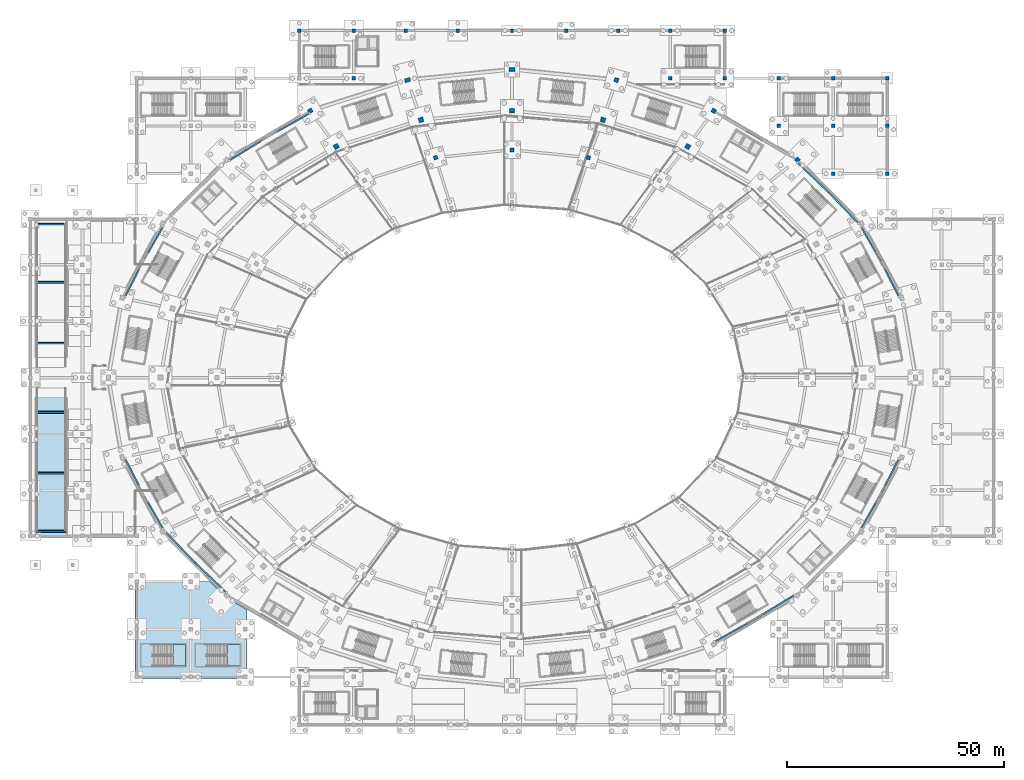
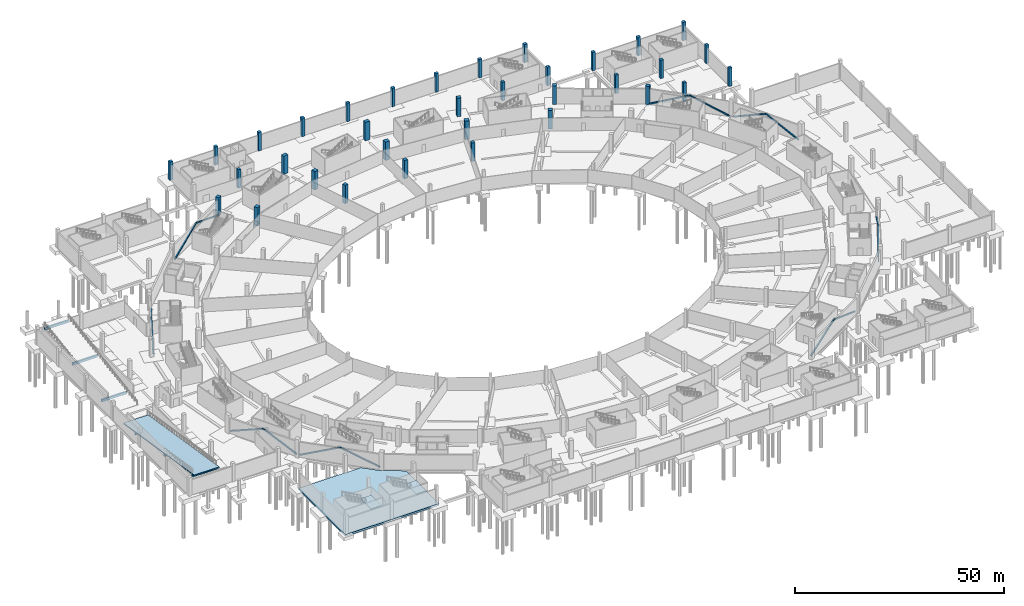
# One storey, part 14 of 74: 34 columns, 16 members, 6 beams, 4 slabs, 2 elements without a shape of their own.
"""IFC4 building model written with IfcOpenShell, lengths in metres."""

from ifc_helpers import new_model, si_unit, direction, frame, origin, origin_2d, place, context, subcontext, project, spatial, polyline, rectangle, hollow_rectangle, outline, extrude, material, layer, layer_set, material_profile, profile_set, type_object, element, aggregate, save


model = new_model("IFC4")

# Units and contexts
model_context = context("Model", 3, precision=1e-05, world=origin(), true_north=direction((0.0, 1.0)))
body_context = subcontext(model_context, "Body", "Model", "MODEL_VIEW")
ifc_project = project(units=[si_unit("LENGTHUNIT", "METRE"), si_unit("AREAUNIT", "SQUARE_METRE"), si_unit("VOLUMEUNIT", "CUBIC_METRE"), si_unit("PLANEANGLEUNIT", "RADIAN"), si_unit("MASSUNIT", "GRAM", prefix="KILO")], contexts=[model_context])

# Site, building, storey
site_placement = place(None, origin())
site = spatial("IfcSite", under=ifc_project, at=site_placement, CompositionType="ELEMENT")
building_placement = place(site_placement, origin())
building = spatial("IfcBuilding", under=site, at=building_placement, Name="Zlatoyarsky Gate Stadium", CompositionType="ELEMENT")
storey_placement = place(building_placement, frame((0.0, 0.0, -5.39990234375)))
storey = spatial("IfcBuildingStorey", under=building, at=storey_placement, Name="B1", CompositionType="ELEMENT", Elevation=-5.39990234375)

# Columns
ifc_material_1 = material(Name="Concrete C40/50", Category="concrete")
ifc_material_profile_1 = material_profile(ifc_material_1, rectangle(XDim=0.89990234375, YDim=1.300048828125, at=origin_2d()), Name="RC PIER 900X1300")
ifc_profile_set_1 = profile_set([ifc_material_profile_1], Name="Concrete C40/50")
column_type_1 = type_object("IfcColumnType", Name="CONCRETE BOWL PIER 900X1300", PredefinedType="COLUMN", material=ifc_profile_set_1)
for number, where, z_axis, x_axis, name in (
    (1, (111.0, 151.0, 0.0), (0.0, 0.0, 1.0), (0.0, 1.0, 0.0), "Column RC-P130 RC-06 on B1"),
    (2, (86.9296875, 148.580810546875, 0.0), (0.0, 0.0, 1.0), (-0.258819045103, 0.965925826289, 0.0), "Column RC-P130 RC-07 on B1"),
):
    element("IfcColumn", number, at=place(storey_placement, frame(where, z_axis=z_axis, x_axis=x_axis)), inside=storey, type_object=column_type_1, Name=name, PredefinedType="COLUMN", context=body_context, shape_type="SweptSolid", body=[
        extrude(rectangle(XDim=0.89990234375, YDim=1.300048828125, at=origin_2d()), origin(), (0.0, 0.0, 1.0), 5.39990234375),
    ])
ifc_material_profile_2 = material_profile(ifc_material_1, rectangle(XDim=1.0, YDim=1.0, at=origin_2d()), Name="RC COL 1000X1000")
ifc_profile_set_2 = profile_set([ifc_material_profile_2], Name="Concrete C40/50")
column_type_2 = type_object("IfcColumnType", Name="CONCRETE COLUMN 1000X1000", PredefinedType="COLUMN", material=ifc_profile_set_2)
for number, where, z_axis, x_axis, name in (
    (3, (176.760986328125, 130.20458984375, 0.0), (0.0, 0.0, 1.0), (0.707106781187, 0.707106781187, 0.0), "Column RC-C100 RC-03 on B1"),
    (4, (157.5, 141.48779296875, 0.0), (0.0, 0.0, 1.0), (0.5, 0.866025403784, 0.0), "Column RC-C100 RC-04 on B1"),
    (5, (135.0703125, 148.580810546875, 0.0), (0.0, 0.0, 1.0), (0.258819045103, 0.965925826289, 0.0), "Column RC-C100 RC-05 on B1"),
    (6, (64.5, 141.48779296875, 0.0), (0.0, 0.0, 1.0), (-0.5, 0.866025403784, 0.0), "Column RC-C100 RC-08 on B1"),
):
    element("IfcColumn", number, at=place(storey_placement, frame(where, z_axis=z_axis, x_axis=x_axis)), inside=storey, type_object=column_type_2, Name=name, PredefinedType="COLUMN", context=body_context, shape_type="SweptSolid", body=[
        extrude(rectangle(XDim=1.0, YDim=1.0, at=origin_2d()), origin(), (0.0, 0.0, 1.0), 5.39990234375),
    ])
ifc_material_profile_3 = material_profile(ifc_material_1, rectangle(XDim=1.10009765625, YDim=1.10009765625, at=origin_2d()), Name="RC COL 1100X1100")
ifc_profile_set_3 = profile_set([ifc_material_profile_3], Name="Concrete C40/50")
column_type_3 = type_object("IfcColumnType", Name="CONCRETE COLUMN 1100X1100", PredefinedType="COLUMN", material=ifc_profile_set_3)
for number, where, z_axis, x_axis, name in (
    (7, (151.5, 133.260498046875, 0.0), (0.0, 0.0, 1.0), (0.5, 0.866025403784, 0.0), "Column RC-C110 RB-04 on B1"),
    (8, (131.96435546875, 139.404296875, 0.0), (0.0, 0.0, 1.0), (0.258819045103, 0.965925826289, 0.0), "Column RC-C110 RB-05 on B1"),
    (9, (111.0, 141.5, 0.0), (0.0, 0.0, 1.0), (0.0, 1.0, 0.0), "Column RC-C110 RB-06 on B1"),
    (10, (90.03564453125, 139.404296875, 0.0), (0.0, 0.0, 1.0), (-0.258819045103, 0.965925826289, 0.0), "Column RC-C110 RB-07 on B1"),
    (11, (70.5, 133.260498046875, 0.0), (0.0, 0.0, 1.0), (-0.5, 0.866025403784, 0.0), "Column RC-C110 RB-08 on B1"),
):
    element("IfcColumn", number, at=place(storey_placement, frame(where, z_axis=z_axis, x_axis=x_axis)), inside=storey, type_object=column_type_3, Name=name, PredefinedType="COLUMN", context=body_context, shape_type="SweptSolid", body=[
        extrude(rectangle(XDim=1.10009765625, YDim=1.10009765625, at=origin_2d()), origin(), (0.0, 0.0, 1.0), 5.39990234375),
    ])
ifc_material_profile_4 = material_profile(ifc_material_1, rectangle(XDim=0.800048828125, YDim=0.800048828125, at=origin_2d()), Name="RC COL 800X800")
ifc_profile_set_4 = profile_set([ifc_material_profile_4], Name="Concrete C40/50")
column_type_4 = type_object("IfcColumnType", Name="CONCRETE COLUMN 800X800", PredefinedType="COLUMN", material=ifc_profile_set_4)
for number, where, z_axis, x_axis, name in (
    (12, (111.0, 160.0, 0.0), (0.0, 0.0, 1.0), (1.0, 0.0, 0.0), "Column RC-C80 WG-10-Q on B1"),
    (13, (123.5, 160.0, 0.0), (0.0, 0.0, 1.0), (1.0, 0.0, 0.0), "Column RC-C80 WG-11-Q on B1"),
    (14, (135.5, 160.0, 0.0), (0.0, 0.0, 1.0), (1.0, 0.0, 0.0), "Column RC-C80 WG-12-Q on B1"),
    (15, (147.5, 149.0, 0.0), (0.0, 0.0, 1.0), (1.0, 0.0, 0.0), "Column RC-C80 WG-13-P on B1"),
    (16, (147.5, 160.0, 0.0), (0.0, 0.0, 1.0), (1.0, 0.0, 0.0), "Column RC-C80 WG-13-Q on B1"),
    (17, (160.0, 149.0, 0.0), (0.0, 0.0, 1.0), (1.0, 0.0, 0.0), "Column RC-C80 WG-14-P on B1"),
    (18, (160.0, 160.0, 0.0), (0.0, 0.0, 1.0), (1.0, 0.0, 0.0), "Column RC-C80 WG-14-Q on B1"),
    (19, (172.5, 138.0, 0.0), (0.0, 0.0, 1.0), (1.0, 0.0, 0.0), "Column RC-C80 WG-15-N on B1"),
    (20, (172.5, 149.0, 0.0), (0.0, 0.0, 1.0), (1.0, 0.0, 0.0), "Column RC-C80 WG-15-P on B1"),
    (21, (185.0, 127.0, 0.0), (0.0, 0.0, 1.0), (1.0, 0.0, 0.0), "Column RC-C80 WG-16-M on B1"),
    (22, (185.0, 138.0, 0.0), (0.0, 0.0, 1.0), (1.0, 0.0, 0.0), "Column RC-C80 WG-16-N on B1"),
    (23, (185.0, 149.0, 0.0), (0.0, 0.0, 1.0), (1.0, 0.0, 0.0), "Column RC-C80 WG-16-P on B1"),
    (24, (197.5, 127.0, 0.0), (0.0, 0.0, 1.0), (1.0, 0.0, 0.0), "Column RC-C80 WG-17-M on B1"),
    (25, (197.5, 138.0, 0.0), (0.0, 0.0, 1.0), (1.0, 0.0, 0.0), "Column RC-C80 WG-17-N on B1"),
    (26, (197.5, 149.0, 0.0), (0.0, 0.0, 1.0), (1.0, 0.0, 0.0), "Column RC-C80 WG-17-P on B1"),
    (27, (62.0, 160.0, 0.0), (0.0, 0.0, 1.0), (1.0, 0.0, 0.0), "Column RC-C80 WG-6-Q on B1"),
    (28, (74.5, 149.0, 0.0), (0.0, 0.0, 1.0), (1.0, 0.0, 0.0), "Column RC-C80 WG-7-P on B1"),
    (29, (74.5, 160.0, 0.0), (0.0, 0.0, 1.0), (1.0, 0.0, 0.0), "Column RC-C80 WG-7-Q on B1"),
    (30, (86.5, 160.0, 0.0), (0.0, 0.0, 1.0), (1.0, 0.0, 0.0), "Column RC-C80 WG-8-Q on B1"),
    (31, (98.5, 160.0, 0.0), (0.0, 0.0, 1.0), (1.0, 0.0, 0.0), "Column RC-C80 WG-9-Q on B1"),
):
    element("IfcColumn", number, at=place(storey_placement, frame(where, z_axis=z_axis, x_axis=x_axis)), inside=storey, type_object=column_type_4, Name=name, PredefinedType="COLUMN", context=body_context, shape_type="SweptSolid", body=[
        extrude(rectangle(XDim=0.800048828125, YDim=0.800048828125, at=origin_2d()), origin(), (0.0, 0.0, 1.0), 5.39990234375),
    ])
ifc_material_profile_5 = material_profile(ifc_material_1, rectangle(XDim=0.89990234375, YDim=0.89990234375, at=origin_2d()), Name="RC COL 900X900")
ifc_profile_set_5 = profile_set([ifc_material_profile_5], Name="Concrete C40/50")
column_type_5 = type_object("IfcColumnType", Name="CONCRETE COLUMN 900X900", PredefinedType="COLUMN", material=ifc_profile_set_5)
for number, where, z_axis, x_axis, name in (
    (32, (128.599609375, 130.711181640625, 0.0), (0.0, 0.0, 1.0), (0.258819045103, 0.965925826289, 0.0), "Column RC-C90 RA-05 on B1"),
    (33, (111.0, 132.5, 0.0), (0.0, 0.0, 1.0), (0.0, 1.0, 0.0), "Column RC-C90 RA-06 on B1"),
    (34, (93.400390625, 130.711181640625, 0.0), (0.0, 0.0, 1.0), (-0.258819045103, 0.965925826289, 0.0), "Column RC-C90 RA-07 on B1"),
):
    element("IfcColumn", number, at=place(storey_placement, frame(where, z_axis=z_axis, x_axis=x_axis)), inside=storey, type_object=column_type_5, Name=name, PredefinedType="COLUMN", context=body_context, shape_type="SweptSolid", body=[
        extrude(rectangle(XDim=0.89990234375, YDim=0.89990234375, at=origin_2d()), origin(), (0.0, 0.0, 1.0), 5.39990234375),
    ])

# Beams
ifc_material_profile_6 = material_profile(ifc_material_1, rectangle(XDim=0.39990234375, YDim=0.699951171875, at=origin_2d()), Name="RC BEAM 400X700")
ifc_profile_set_6 = profile_set([ifc_material_profile_6], Name="Concrete C40/50")
beam_type = type_object("IfcBeamType", Name="CONCRETE FLOOR BEAM 400X700", PredefinedType="BEAM", material=ifc_profile_set_6)
for number, where, z_axis, x_axis, name in (
    (35, (1.35009765625, 72.0, 0.2265625), (1.0, 0.0, 0.0), (0.0, 1.0, 0.0), "Vehicle ramp VR-01 support beam 1"),
    (36, (1.35009765625, 58.0, 2.451416015625), (1.0, 0.0, 0.0), (0.0, 1.0, 0.0), "Vehicle ramp VR-01 support beam 2"),
    (37, (1.35009765625, 44.60009765625, 4.580810546875), (1.0, 0.0, 0.0), (0.0, 1.0, 0.0), "Vehicle ramp VR-01 support beam 3"),
    (38, (1.35009765625, 88.0, 0.2265625), (1.0, 0.0, 0.0), (0.0, 1.0, 0.0), "Vehicle ramp VR-02 support beam 1"),
    (39, (1.35009765625, 102.0, 2.451416015625), (1.0, 0.0, 0.0), (0.0, 1.0, 0.0), "Vehicle ramp VR-02 support beam 2"),
    (40, (1.35009765625, 115.39990234375, 4.580810546875), (1.0, 0.0, 0.0), (0.0, 1.0, 0.0), "Vehicle ramp VR-02 support beam 3"),
):
    element("IfcBeam", number, at=place(storey_placement, frame(where, z_axis=z_axis, x_axis=x_axis)), inside=storey, type_object=beam_type, Name=name, PredefinedType="BEAM", context=body_context, shape_type="SweptSolid", body=[
        extrude(rectangle(XDim=0.39990234375, YDim=0.699951171875, at=origin_2d()), origin(), (0.0, 0.0, 1.0), 6.89990234375),
    ])

# Members
ifc_material_2 = material(Name="Steel S355", Category="steel")
ifc_material_profile_7 = material_profile(ifc_material_2, hollow_rectangle(XDim=0.35009765625, YDim=0.35009765625, WallThickness=0.02001953125, at=origin_2d()), Name="SHS 350X350X20")
ifc_profile_set_7 = profile_set([ifc_material_profile_7], Name="Steel S355")
member_type = type_object("IfcMemberType", Name="STEEL PORTAL CHEVRON BRACE SHS 350X350X20", PredefinedType="BRACE", material=ifc_profile_set_7)
for number, where, z_axis, x_axis, name in (
    (41, (200.23291015625, 98.597900390625, 0.349853515625), (-0.418109748963, 0.812002881687, 0.407229122184), (-0.88906135662, -0.457788055945, 0.0), "Basement chevron brace 1A"),
    (42, (191.400146484375, 114.877685546875, 0.349853515625), (0.452799258489, -0.793181050889, 0.40723046549), (0.868453917474, 0.495769899474, 0.0), "Basement chevron brace 1B"),
):
    element("IfcMember", number, at=place(storey_placement, frame(where, z_axis=z_axis, x_axis=x_axis)), inside=storey, type_object=member_type, Name=name, PredefinedType="BRACE", context=body_context, shape_type="SweptSolid", body=[
        extrude(hollow_rectangle(XDim=0.35009765625, YDim=0.35009765625, WallThickness=0.02001953125, at=origin_2d()), origin(), (0.0, 0.0, 1.0), 10.14208984375),
    ])
member_1_placement = place(storey_placement, frame((190.90380859375, 115.540771484375, 0.349853515625), z_axis=(-0.641458528262, 0.664422816117, 0.383501340211), x_axis=(-0.71943022082, -0.694564725113, 0.0)))
element("IfcMember", 43, at=member_1_placement, inside=storey, type_object=member_type, Name="Basement chevron brace 2A", PredefinedType="BRACE", context=body_context, shape_type="SweptSolid", body=[
    extrude(hollow_rectangle(XDim=0.35009765625, YDim=0.35009765625, WallThickness=0.02001953125, at=origin_2d()), origin(), (0.0, 0.0, 1.0), 10.76953125),
])
member_2_placement = place(storey_placement, frame((176.804931640625, 129.568359375, 0.349853515625), z_axis=(0.667668705052, -0.638085719954, 0.383490696478), x_axis=(0.690909376359, 0.722941376364, 0.0)))
element("IfcMember", 44, at=member_2_placement, inside=storey, type_object=member_type, Name="Basement chevron brace 2B", PredefinedType="BRACE", context=body_context, shape_type="SweptSolid", body=[
    extrude(hollow_rectangle(XDim=0.35009765625, YDim=0.35009765625, WallThickness=0.02001953125, at=origin_2d()), origin(), (0.0, 0.0, 1.0), 10.769775390625),
])
member_3_placement = place(storey_placement, frame((64.298095703125, 140.8828125, 0.349853515625), z_axis=(-0.813486286205, -0.456301774677, 0.360594998001), x_axis=(0.489214936386, -0.872163256516, 0.0)))
element("IfcMember", 45, at=member_3_placement, inside=storey, type_object=member_type, Name="Basement chevron brace 3A", PredefinedType="BRACE", context=body_context, shape_type="SweptSolid", body=[
    extrude(hollow_rectangle(XDim=0.35009765625, YDim=0.35009765625, WallThickness=0.02001953125, at=origin_2d()), origin(), (0.0, 0.0, 1.0), 11.45361328125),
])
member_4_placement = place(storey_placement, frame((45.865478515625, 130.084716796875, 0.349853515625), z_axis=(0.795824357014, 0.486455524849, 0.360589260971), x_axis=(-0.521542443949, 0.853225339028, 0.0)))
element("IfcMember", 46, at=member_4_placement, inside=storey, type_object=member_type, Name="Basement chevron brace 3B", PredefinedType="BRACE", context=body_context, shape_type="SweptSolid", body=[
    extrude(hollow_rectangle(XDim=0.35009765625, YDim=0.35009765625, WallThickness=0.02001953125, at=origin_2d()), origin(), (0.0, 0.0, 1.0), 11.453857421875),
])
for number, where, z_axis, x_axis, name in (
    (47, (30.599853515625, 114.877685546875, 0.349853515625), (-0.452799258489, -0.793181050889, 0.40723046549), (0.868453917474, -0.495769899474, 0.0), "Basement chevron brace 4A"),
    (48, (21.76708984375, 98.597900390625, 0.349853515625), (0.418109748963, 0.812002881687, 0.407229122184), (-0.88906135662, 0.457788055945, 0.0), "Basement chevron brace 4B"),
    (49, (21.76708984375, 61.402099609375, 0.349853515625), (0.418109748963, -0.812002881687, 0.407229122184), (0.88906135662, 0.457788055945, 0.0), "Basement chevron brace 5A"),
    (50, (30.599853515625, 45.122314453125, 0.349853515625), (-0.452799258489, 0.793181050889, 0.40723046549), (-0.868453917474, -0.495769899474, 0.0), "Basement chevron brace 5B"),
):
    element("IfcMember", number, at=place(storey_placement, frame(where, z_axis=z_axis, x_axis=x_axis)), inside=storey, type_object=member_type, Name=name, PredefinedType="BRACE", context=body_context, shape_type="SweptSolid", body=[
        extrude(hollow_rectangle(XDim=0.35009765625, YDim=0.35009765625, WallThickness=0.02001953125, at=origin_2d()), origin(), (0.0, 0.0, 1.0), 10.14208984375),
    ])
member_5_placement = place(storey_placement, frame((31.09619140625, 44.459228515625, 0.349853515625), z_axis=(0.641458528262, -0.664422816117, 0.383501340211), x_axis=(0.71943022082, 0.694564725113, 0.0)))
element("IfcMember", 51, at=member_5_placement, inside=storey, type_object=member_type, Name="Basement chevron brace 6A", PredefinedType="BRACE", context=body_context, shape_type="SweptSolid", body=[
    extrude(hollow_rectangle(XDim=0.35009765625, YDim=0.35009765625, WallThickness=0.02001953125, at=origin_2d()), origin(), (0.0, 0.0, 1.0), 10.76953125),
])
member_6_placement = place(storey_placement, frame((45.195068359375, 30.431640625, 0.349853515625), z_axis=(-0.667668705052, 0.638085719954, 0.383490696478), x_axis=(-0.690909376359, -0.722941376364, 0.0)))
element("IfcMember", 52, at=member_6_placement, inside=storey, type_object=member_type, Name="Basement chevron brace 6B", PredefinedType="BRACE", context=body_context, shape_type="SweptSolid", body=[
    extrude(hollow_rectangle(XDim=0.35009765625, YDim=0.35009765625, WallThickness=0.02001953125, at=origin_2d()), origin(), (0.0, 0.0, 1.0), 10.769775390625),
])
member_7_placement = place(storey_placement, frame((157.701904296875, 19.1171875, 0.349853515625), z_axis=(0.813486286205, 0.456301774677, 0.360594998001), x_axis=(-0.489214936386, 0.872163256516, 0.0)))
element("IfcMember", 53, at=member_7_placement, inside=storey, type_object=member_type, Name="Basement chevron brace 7A", PredefinedType="BRACE", context=body_context, shape_type="SweptSolid", body=[
    extrude(hollow_rectangle(XDim=0.35009765625, YDim=0.35009765625, WallThickness=0.02001953125, at=origin_2d()), origin(), (0.0, 0.0, 1.0), 11.45361328125),
])
member_8_placement = place(storey_placement, frame((176.134521484375, 29.915283203125, 0.349853515625), z_axis=(-0.795824357014, -0.486455524849, 0.360589260971), x_axis=(0.521542443949, -0.853225339028, 0.0)))
element("IfcMember", 54, at=member_8_placement, inside=storey, type_object=member_type, Name="Basement chevron brace 7B", PredefinedType="BRACE", context=body_context, shape_type="SweptSolid", body=[
    extrude(hollow_rectangle(XDim=0.35009765625, YDim=0.35009765625, WallThickness=0.02001953125, at=origin_2d()), origin(), (0.0, 0.0, 1.0), 11.453857421875),
])
for number, where, z_axis, x_axis, name in (
    (55, (191.400146484375, 45.122314453125, 0.349853515625), (0.452799258489, 0.793181050889, 0.40723046549), (-0.868453917474, 0.495769899474, 0.0), "Basement chevron brace 8A"),
    (56, (200.23291015625, 61.402099609375, 0.349853515625), (-0.418109748963, -0.812002881687, 0.407229122184), (0.88906135662, -0.457788055945, 0.0), "Basement chevron brace 8B"),
):
    element("IfcMember", number, at=place(storey_placement, frame(where, z_axis=z_axis, x_axis=x_axis)), inside=storey, type_object=member_type, Name=name, PredefinedType="BRACE", context=body_context, shape_type="SweptSolid", body=[
        extrude(hollow_rectangle(XDim=0.35009765625, YDim=0.35009765625, WallThickness=0.02001953125, at=origin_2d()), origin(), (0.0, 0.0, 1.0), 10.14208984375),
    ])

# Slab
ifc_material_3 = material(Name="Concrete C35/45", Category="concrete")
ifc_layer_1 = layer(ifc_material_3, 0.5)
ifc_layer_set_1 = layer_set([ifc_layer_1], Name="Concrete C35/45")
slab_type_1 = type_object("IfcSlabType", Name="CONCRETE BASE SLAB 500", PredefinedType="BASESLAB", material=ifc_layer_set_1)
slab_1_placement = place(storey_placement, frame((0.0, 0.0, -0.5)))
element("IfcSlab", 57, at=slab_1_placement, inside=storey, type_object=slab_type_1, Name="B1 wing V6_SW slab", PredefinedType="BASESLAB", context=body_context, shape_type="SweptSolid", body=[
    extrude(outline(polyline([(24.050048828125, 33.0), (41.315185546875, 33.0), (44.885498046875, 29.44189453125), (49.949951171875, 26.47021484375), (49.949951171875, 10.550048828125), (24.050048828125, 10.550048828125), (24.050048828125, 33.0)])), origin(), (0.0, 0.0, 1.0), 0.5),
])

# Stair, slab
stair_type = type_object("IfcStairType", Name="CONCRETE DOGLEG EXIT STAIR H5400", PredefinedType="TWO_STRAIGHT_RUN_STAIR", material=ifc_material_1)
stair_1_placement = place(storey_placement, origin())
stair_1 = element("IfcStair", 58, at=stair_1_placement, inside=storey, type_object=stair_type, Name="B1 Exit Stair ST-21", PredefinedType="TWO_STRAIGHT_RUN_STAIR")
ifc_layer_2 = layer(ifc_material_1, 0.199951171875)
ifc_layer_set_2 = layer_set([ifc_layer_2], Name="Concrete C40/50")
slab_type_2 = type_object("IfcSlabType", Name="CONCRETE STAIR LANDING SLAB 200", PredefinedType="LANDING", material=ifc_layer_set_2)
slab_2_placement = place(storey_placement, frame((0.0, 0.0, 2.5)))
slab_2 = element("IfcSlab", 59, at=slab_2_placement, type_object=slab_type_2, Name="ST-DG54 landing 1", PredefinedType="LANDING", context=body_context, shape_type="SweptSolid", body=[
    extrude(outline(polyline([(32.85009765625, 13.5), (35.800048828125, 13.5), (35.800048828125, 18.5), (32.85009765625, 18.5), (32.85009765625, 13.5)])), origin(), (0.0, 0.0, 1.0), 0.199951171875),
])
aggregate(stair_1, [slab_2])

stair_2_placement = place(storey_placement, origin())
stair_2 = element("IfcStair", 60, at=stair_2_placement, inside=storey, type_object=stair_type, Name="B1 Exit Stair ST-22", PredefinedType="TWO_STRAIGHT_RUN_STAIR")
slab_3_placement = place(storey_placement, frame((0.0, 0.0, 2.5)))
slab_3 = element("IfcSlab", 61, at=slab_3_placement, type_object=slab_type_2, Name="ST-DG54 landing 1", PredefinedType="LANDING", context=body_context, shape_type="SweptSolid", body=[
    extrude(outline(polyline([(45.35009765625, 13.5), (48.300048828125, 13.5), (48.300048828125, 18.5), (45.35009765625, 18.5), (45.35009765625, 13.5)])), origin(), (0.0, 0.0, 1.0), 0.199951171875),
])
aggregate(stair_2, [slab_3])

# Slab
ifc_layer_3 = layer(ifc_material_3, 0.300048828125)
ifc_layer_set_3 = layer_set([ifc_layer_3], Name="Concrete C35/45")
slab_type_3 = type_object("IfcSlabType", Name="CONCRETE VEHICLE RAMP SLAB 300", PredefinedType="FLOOR", material=ifc_layer_set_3)
slab_4_placement = place(storey_placement, frame((1.35009765625, 43.56005859375, 5.39990234375), z_axis=(0.0, 0.156944861639, 0.98760736652), x_axis=(1.0, 0.0, 0.0)))
element("IfcSlab", 62, at=slab_4_placement, inside=storey, type_object=slab_type_3, Name="B1 to L00 vehicle entrance ramp structural slab VR-01", PredefinedType="FLOOR", context=body_context, shape_type="SweptSolid", body=[
    extrude(outline(polyline([(0.0, 0.0), (6.89990234375, 0.0), (6.89990234375, 34.40636595135656), (0.0, 34.40636595135656), (0.0, 0.0)])), origin(), (0.0, 0.0, -1.0), 0.300048828125),
])

save(model, "model.ifc")
